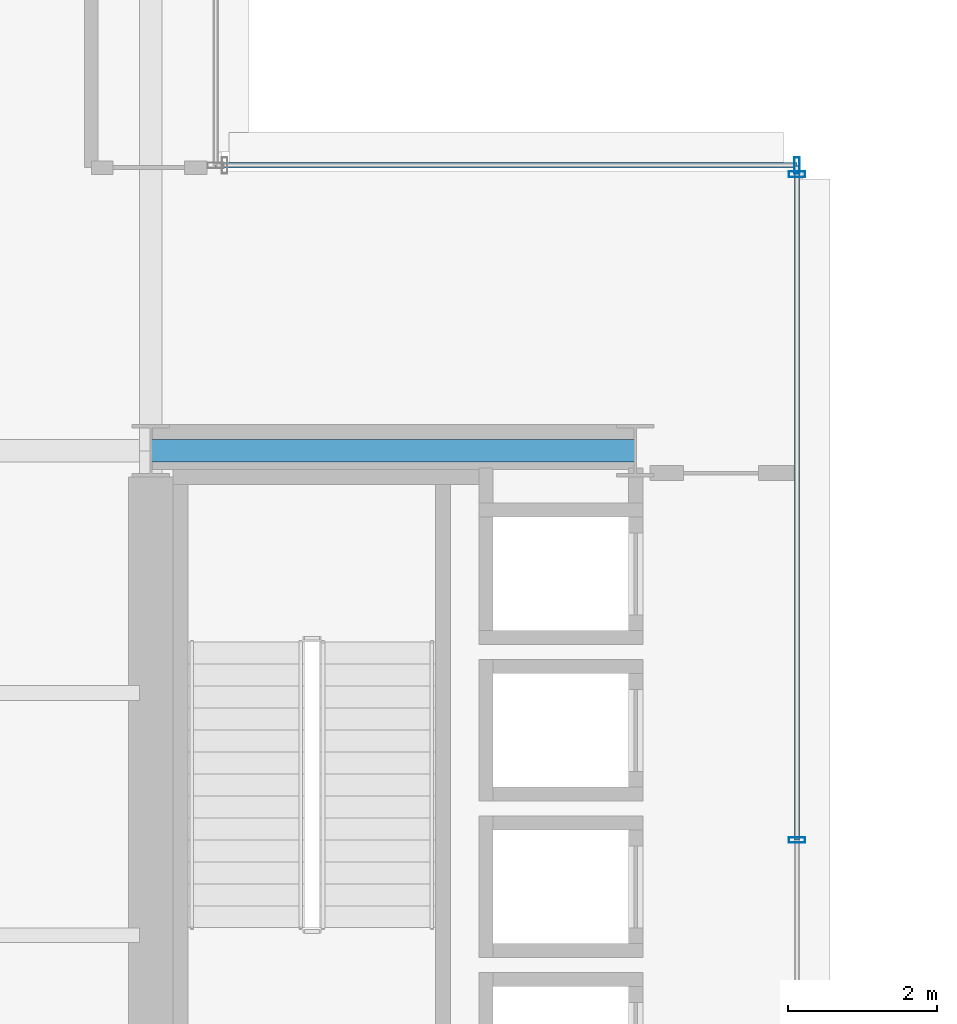
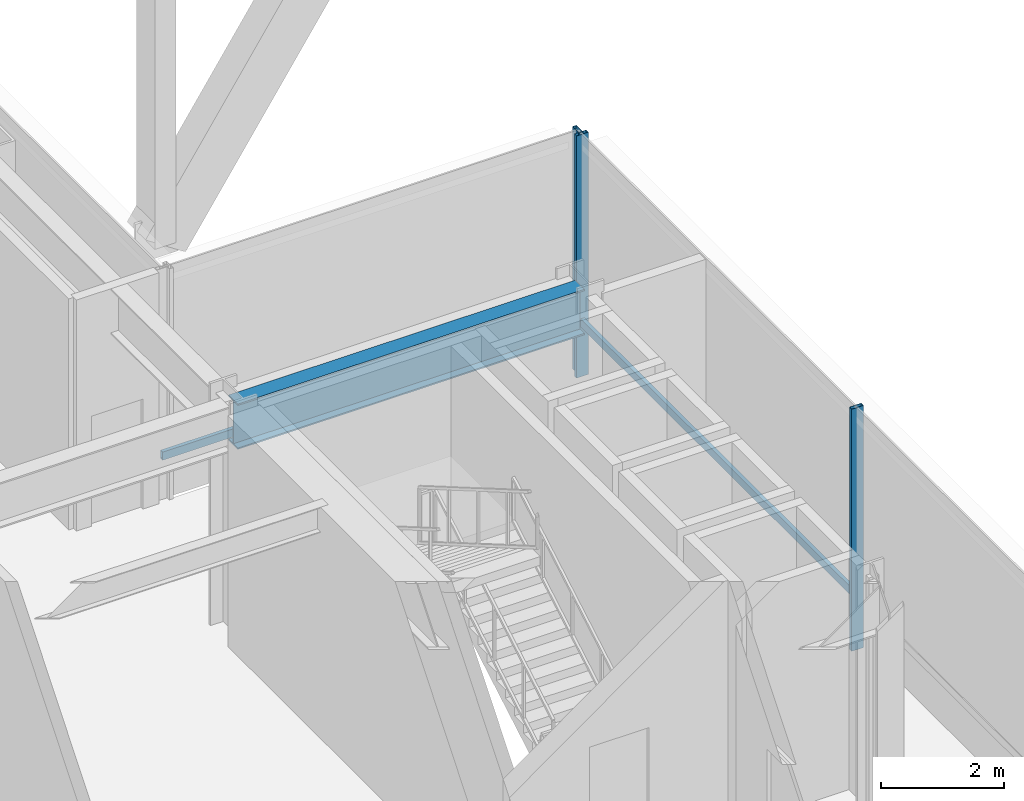
# One storey, part 16 of 40: 5 members, 1 beam, 2 elements without a shape of their own.
"""IFC4 building model written with IfcOpenShell, lengths in metres."""

from ifc_helpers import new_model, si_unit, direction, frame, origin, origin_2d, place, context, subcontext, project, spatial, hollow_rectangle, i_section, extrude, material, layer, layer_set, material_profile, profile_set, type_object, element, aggregate, save


model = new_model("IFC4")

# Units and contexts
model_context = context("Model", 3, precision=1e-05, world=origin(), true_north=direction((0.0, 1.0)))
body_context = subcontext(model_context, "Body", "Model", "MODEL_VIEW")
ifc_project = project(units=[si_unit("LENGTHUNIT", "METRE"), si_unit("AREAUNIT", "SQUARE_METRE"), si_unit("VOLUMEUNIT", "CUBIC_METRE"), si_unit("PLANEANGLEUNIT", "RADIAN"), si_unit("MASSUNIT", "GRAM", prefix="KILO")], contexts=[model_context])

# Site, building, storey
site_placement = place(None, origin())
site = spatial("IfcSite", under=ifc_project, at=site_placement, CompositionType="ELEMENT")
building_placement = place(site_placement, origin())
building = spatial("IfcBuilding", under=site, at=building_placement, Name="Brelmoor Portico Tower", CompositionType="ELEMENT")
storey_placement = place(building_placement, frame((0.0, 0.0, 4.800048828125)))
storey = spatial("IfcBuildingStorey", under=building, at=storey_placement, Name="L01", CompositionType="ELEMENT", Elevation=4.800048828125)

# Beam
ifc_material_1 = material(Name="Steel Q355B", Category="steel")
ifc_material_profile_1 = material_profile(ifc_material_1, i_section(OverallWidth=0.300048828125, OverallDepth=0.89990234375, WebThickness=0.01611328125, FlangeThickness=0.028076171875, at=origin_2d()), Name="HN 900x300x16x28")
ifc_profile_set_1 = profile_set([ifc_material_profile_1], Name="Steel Q355B")
beam_type = type_object("IfcBeamType", Name="BM-PG-900", PredefinedType="BEAM", material=ifc_profile_set_1)
beam_placement = place(storey_placement, frame((-14.550048828125, 9.75, 4.1298828125), z_axis=(1.0, 0.0, 0.0), x_axis=(0.0, 1.0, 0.0)))
element("IfcBeam", 1, at=beam_placement, inside=storey, type_object=beam_type, Name="L01 Primary Floor Girder PG-34", PredefinedType="BEAM", context=body_context, shape_type="SweptSolid", body=[
    extrude(i_section(OverallWidth=0.300048828125, OverallDepth=0.89990234375, WebThickness=0.01611328125, FlangeThickness=0.028076171875, at=origin_2d()), origin(), (0.0, 0.0, 1.0), 6.5),
])

# Curtain wall, member
ifc_material_2 = material(Name="Anodised Aluminium Alloy 6063-T6", Category="aluminium")
ifc_layer = layer(ifc_material_2, 0.179931640625)
ifc_layer_set = layer_set([ifc_layer], Name="Anodised Aluminium Alloy 6063-T6")
curtain_wall_type = type_object("IfcCurtainWallType", Name="CW-PODIUM-ARCH", PredefinedType="NOTDEFINED", material=ifc_layer_set)
curtain_wall_1_placement = place(storey_placement, origin())
curtain_wall_1 = element("IfcCurtainWall", 2, at=curtain_wall_1_placement, inside=storey, type_object=curtain_wall_type, Name="L01 Curtain Wall CW-L01-13", PredefinedType="NOTDEFINED")
ifc_material_profile_2 = material_profile(ifc_material_2, hollow_rectangle(XDim=0.074951171875, YDim=0.219970703125, WallThickness=0.0048828125, at=origin_2d()), Name="ALU MULLION 75x220")
ifc_profile_set_2 = profile_set([ifc_material_profile_2], Name="Anodised Aluminium Alloy 6063-T6")
member_type_1 = type_object("IfcMemberType", Name="MB-CW-MULL-220", PredefinedType="MULLION", material=ifc_profile_set_2)
member_1_placement = place(storey_placement, frame((-5.8798828125, 13.580078125, -0.219970703125), z_axis=(0.0, 0.0, 1.0), x_axis=(1.0, 0.0, 0.0)))
member_1 = element("IfcMember", 3, at=member_1_placement, type_object=member_type_1, Name="CW-L01-13 Mullion 01", PredefinedType="MULLION", context=body_context, shape_type="SweptSolid", body=[
    extrude(hollow_rectangle(XDim=0.074951171875, YDim=0.219970703125, WallThickness=0.0048828125, at=origin_2d()), origin(), (0.0, 0.0, 1.0), 4.7998046875),
])

# Curtain wall, members
curtain_wall_2_placement = place(storey_placement, origin())
curtain_wall_2 = element("IfcCurtainWall", 4, at=curtain_wall_2_placement, inside=storey, type_object=curtain_wall_type, Name="L01 Curtain Wall CW-L01-15", PredefinedType="NOTDEFINED")
member_2_placement = place(storey_placement, frame((-5.8798828125, 4.526611328125, -0.219970703125), z_axis=(0.0, 0.0, 1.0), x_axis=(0.0, 1.0, 0.0)))
member_2 = element("IfcMember", 5, at=member_2_placement, type_object=member_type_1, Name="CW-L01-15 Mullion 02", PredefinedType="MULLION", context=body_context, shape_type="SweptSolid", body=[
    extrude(hollow_rectangle(XDim=0.074951171875, YDim=0.219970703125, WallThickness=0.0048828125, at=origin_2d()), origin(), (0.0, 0.0, 1.0), 4.7998046875),
])
member_3_placement = place(storey_placement, frame((-5.8798828125, 13.4599609375, -0.219970703125), z_axis=(0.0, 0.0, 1.0), x_axis=(0.0, 1.0, 0.0)))
member_3 = element("IfcMember", 6, at=member_3_placement, type_object=member_type_1, Name="CW-L01-15 Mullion 03", PredefinedType="MULLION", context=body_context, shape_type="SweptSolid", body=[
    extrude(hollow_rectangle(XDim=0.074951171875, YDim=0.219970703125, WallThickness=0.0048828125, at=origin_2d()), origin(), (0.0, 0.0, 1.0), 4.7998046875),
])

# Member
ifc_material_profile_3 = material_profile(ifc_material_2, hollow_rectangle(XDim=0.070068359375, YDim=0.159912109375, WallThickness=0.00390625, at=origin_2d()), Name="ALU TRANSOM 70x160")
ifc_profile_set_3 = profile_set([ifc_material_profile_3], Name="Anodised Aluminium Alloy 6063-T6")
member_type_2 = type_object("IfcMemberType", Name="MB-CW-TRAN-160", PredefinedType="USERDEFINED", material=ifc_profile_set_3)
member_4_placement = place(storey_placement, frame((-13.679931640625, 13.580078125, 0.849853515625), z_axis=(1.0, 0.0, 0.0), x_axis=(0.0, 1.0, 0.0)))
member_4 = element("IfcMember", 7, at=member_4_placement, type_object=member_type_2, Name="CW-L01-13 Transom 1-00", ObjectType="TRANSOM", PredefinedType="USERDEFINED", context=body_context, shape_type="SweptSolid", body=[
    extrude(hollow_rectangle(XDim=0.070068359375, YDim=0.159912109375, WallThickness=0.00390625, at=origin_2d()), origin(), (0.0, 0.0, 1.0), 7.800048828125),
])

aggregate(curtain_wall_1, [member_1, member_4])

member_5_placement = place(storey_placement, frame((-5.8798828125, 4.526611328125, 0.849853515625), z_axis=(0.0, 1.0, 0.0), x_axis=(-1.0, 0.0, 0.0)))
member_5 = element("IfcMember", 8, at=member_5_placement, type_object=member_type_2, Name="CW-L01-15 Transom 1-02", ObjectType="TRANSOM", PredefinedType="USERDEFINED", context=body_context, shape_type="SweptSolid", body=[
    extrude(hollow_rectangle(XDim=0.070068359375, YDim=0.159912109375, WallThickness=0.00390625, at=origin_2d()), origin(), (0.0, 0.0, 1.0), 9.053466796875),
])

aggregate(curtain_wall_2, [member_2, member_3, member_5])

save(model, "model.ifc")
